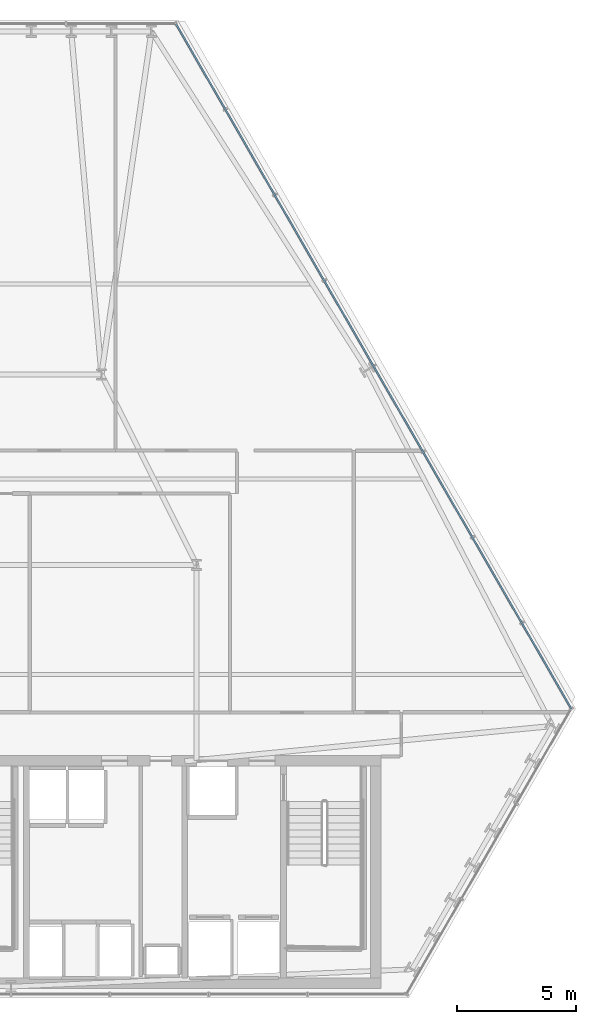
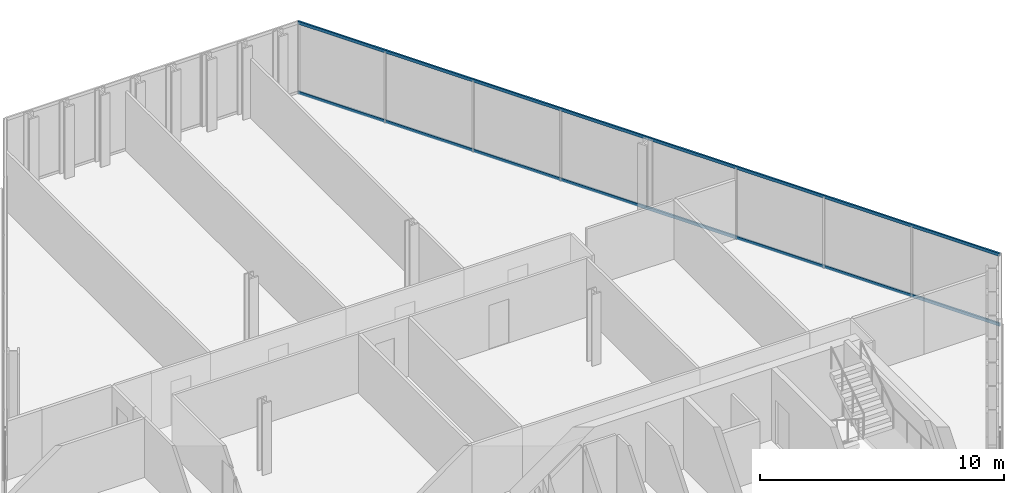
# One storey, part 20 of 32: 2 members, 1 element without a shape of its own.
"""IFC4 building model written with IfcOpenShell, lengths in metres."""

from ifc_helpers import new_model, si_unit, direction, frame, origin, origin_2d, place, context, subcontext, project, spatial, hollow_rectangle, extrude, material, layer, layer_set, material_profile, profile_set, type_object, element, aggregate, save


model = new_model("IFC4")

# Units and contexts
model_context = context("Model", 3, precision=1e-05, world=origin(), true_north=direction((0.0, 1.0)))
body_context = subcontext(model_context, "Body", "Model", "MODEL_VIEW")
ifc_project = project(units=[si_unit("LENGTHUNIT", "METRE"), si_unit("AREAUNIT", "SQUARE_METRE"), si_unit("VOLUMEUNIT", "CUBIC_METRE"), si_unit("PLANEANGLEUNIT", "RADIAN"), si_unit("MASSUNIT", "GRAM", prefix="KILO")], contexts=[model_context])

# Site, building, storey
site_placement = place(None, origin())
site = spatial("IfcSite", under=ifc_project, at=site_placement, CompositionType="ELEMENT")
building_placement = place(site_placement, origin())
building = spatial("IfcBuilding", under=site, at=building_placement, Name="Ndaravel Arena Tower", CompositionType="ELEMENT")
storey_placement = place(building_placement, frame((0.0, 0.0, 93.0)))
storey = spatial("IfcBuildingStorey", under=building, at=storey_placement, Name="L21", CompositionType="ELEMENT", Elevation=93.0)

# Curtain wall, members
ifc_material_1 = material(Name="Aluminium", Category="aluminium")
ifc_layer = layer(ifc_material_1, 0.179931640625)
ifc_layer_set = layer_set([ifc_layer], Name="Aluminium")
curtain_wall_type = type_object("IfcCurtainWallType", Name="CW-SYS-03", PredefinedType="NOTDEFINED", material=ifc_layer_set)
curtain_wall_placement = place(storey_placement, origin())
curtain_wall = element("IfcCurtainWall", 1, at=curtain_wall_placement, inside=storey, type_object=curtain_wall_type, Name="L21 Faceted Crystal Curtain Wall CW-L21-E03", PredefinedType="NOTDEFINED")
ifc_material_2 = material(Name="Aluminium", Category="aluminium")
ifc_material_profile = material_profile(ifc_material_2, hollow_rectangle(XDim=0.074951171875, YDim=0.14990234375, WallThickness=0.00390625, at=origin_2d()), Name="CW TRANSOM 75x150x4")
ifc_profile_set = profile_set([ifc_material_profile], Name="Aluminium")
member_type = type_object("IfcMemberType", Name="MEM-CW-TRN150", PredefinedType="USERDEFINED", material=ifc_profile_set)
member_1_placement = place(storey_placement, frame((65.541015625, 17.16064453125, 0.0400390625), z_axis=(-0.499998934557, 0.866026018917, 0.0), x_axis=(-0.866026018917, -0.499998934557, 0.0)))
member_1 = element("IfcMember", 2, at=member_1_placement, type_object=member_type, Name="CW-L21-E03 Transom 01", ObjectType="TRANSOM", PredefinedType="USERDEFINED", context=body_context, shape_type="SweptSolid", body=[
    extrude(hollow_rectangle(XDim=0.074951171875, YDim=0.14990234375, WallThickness=0.00390625, at=origin_2d()), origin(), (0.0, 0.0, 1.0), 33.224609375),
])
member_2_placement = place(storey_placement, frame((65.541015625, 17.16064453125, 3.5400390625), z_axis=(-0.499998934557, 0.866026018917, 0.0), x_axis=(-0.866026018917, -0.499998934557, 0.0)))
member_2 = element("IfcMember", 3, at=member_2_placement, type_object=member_type, Name="CW-L21-E03 Transom 02", ObjectType="TRANSOM", PredefinedType="USERDEFINED", context=body_context, shape_type="SweptSolid", body=[
    extrude(hollow_rectangle(XDim=0.074951171875, YDim=0.14990234375, WallThickness=0.00390625, at=origin_2d()), origin(), (0.0, 0.0, 1.0), 33.224609375),
])
aggregate(curtain_wall, [member_1, member_2])

save(model, "model.ifc")
